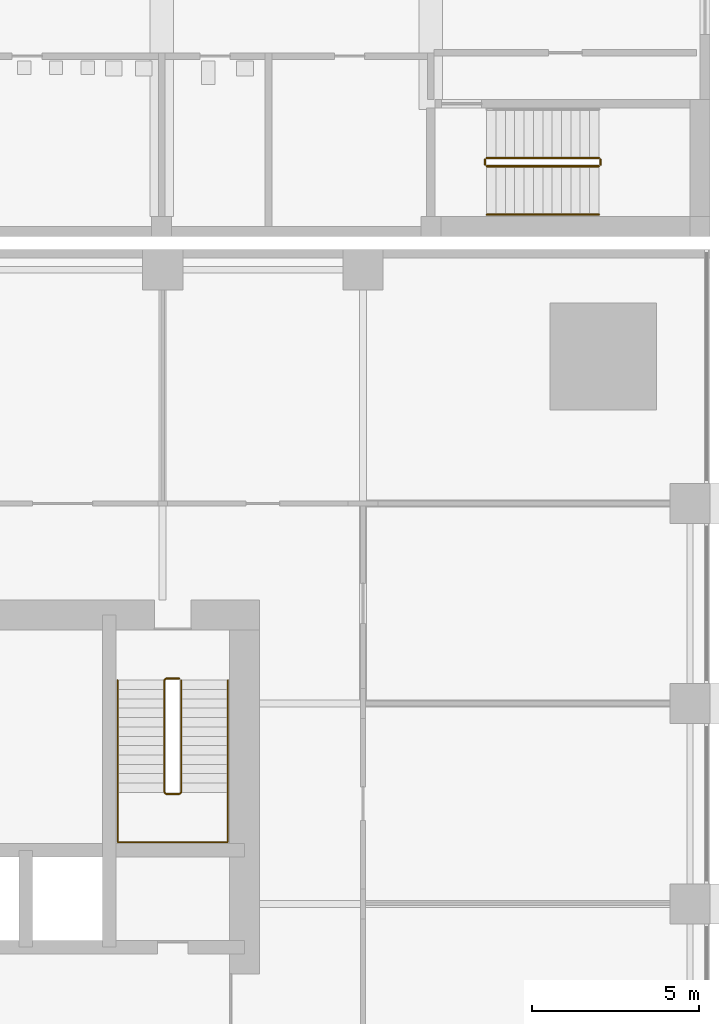
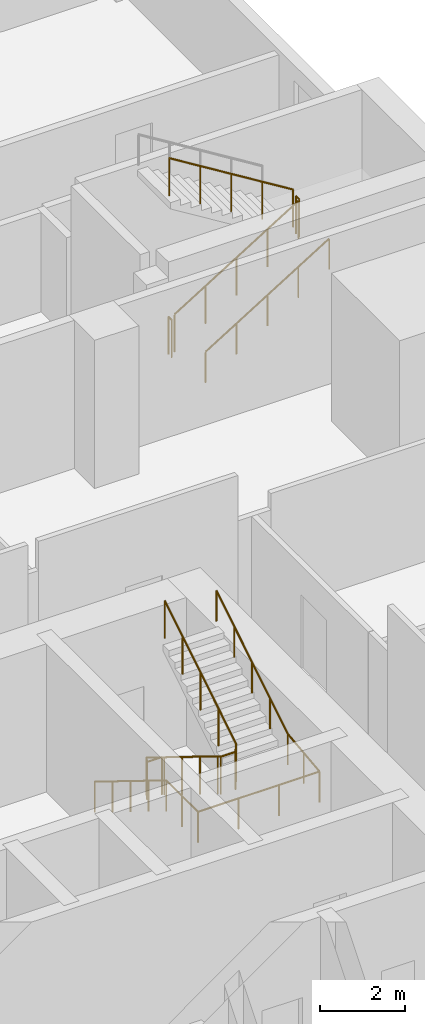
# One storey, part 22 of 24: 7 railings.
"""IFC4 building model written with IfcOpenShell, lengths in metres."""

from ifc_helpers import new_model, si_unit, direction, frame, origin, origin_2d, place, context, subcontext, project, spatial, circle, extrude, material, type_object, element, save


model = new_model("IFC4")

# Units and contexts
model_context = context("Model", 3, precision=1e-05, world=origin(), true_north=direction((0.0, 1.0)))
body_context = subcontext(model_context, "Body", "Model", "MODEL_VIEW")
ifc_project = project(units=[si_unit("LENGTHUNIT", "METRE"), si_unit("AREAUNIT", "SQUARE_METRE"), si_unit("VOLUMEUNIT", "CUBIC_METRE"), si_unit("PLANEANGLEUNIT", "RADIAN"), si_unit("MASSUNIT", "GRAM", prefix="KILO")], contexts=[model_context])

# Site, building, storey
site_placement = place(None, origin())
site = spatial("IfcSite", under=ifc_project, at=site_placement, CompositionType="ELEMENT")
building_placement = place(site_placement, origin())
building = spatial("IfcBuilding", under=site, at=building_placement, Name="Amberfall Residences", CompositionType="ELEMENT")
storey_placement = place(building_placement, frame((0.0, 0.0, 19.0)))
storey = spatial("IfcBuildingStorey", under=building, at=storey_placement, Name="L04", CompositionType="ELEMENT", Elevation=19.0)

# Railings
ifc_material_1 = material(Name="Stainless steel", Category="steel")
railing_type_1 = type_object("IfcRailingType", Name="School stair guard 1100", PredefinedType="GUARDRAIL", material=ifc_material_1)
railing_1_placement = place(storey_placement, frame((93.30810546875, 70.5, 0.173095703125)))
element("IfcRailing", 1, at=railing_1_placement, inside=storey, type_object=railing_type_1, Name="L04 SS5 stair guard 1", PredefinedType="GUARDRAIL", context=body_context, shape_type="SweptSolid", body=[
    extrude(circle(Radius=0.02392578125, at=origin_2d()), frame((0.0, 0.0, 1.076171875), z_axis=(0.850606129759, 0.0, 0.525803396734), x_axis=(0.0, 1.0, 0.0)), (0.0, 0.0, 1.0), 3.949951171875),
    extrude(circle(Radius=0.02099609375, at=origin_2d()), origin(), (0.0, 0.0, 1.0), 1.052001953125),
    extrude(circle(Radius=0.02099609375, at=origin_2d()), frame((0.83984375, 0.0, 0.519287109375)), (0.0, 0.0, 1.0), 1.052001953125),
    extrude(circle(Radius=0.02099609375, at=origin_2d()), frame((1.679931640625, 0.0, 1.03857421875)), (0.0, 0.0, 1.0), 1.052001953125),
    extrude(circle(Radius=0.02099609375, at=origin_2d()), frame((2.52001953125, 0.0, 1.5576171875)), (0.0, 0.0, 1.0), 1.052001953125),
    extrude(circle(Radius=0.02099609375, at=origin_2d()), frame((3.35986328125, 0.0, 2.076904296875)), (0.0, 0.0, 1.0), 1.052001953125),
])
railing_2_placement = place(storey_placement, frame((96.718017578125, 70.550048828125, 2.25)))
element("IfcRailing", 2, at=railing_2_placement, inside=storey, type_object=railing_type_1, Name="L04 SS5 stair guard 2", PredefinedType="GUARDRAIL", context=body_context, shape_type="SweptSolid", body=[
    extrude(circle(Radius=0.02392578125, at=origin_2d()), frame((0.0, 0.0, 1.076171875), z_axis=(0.0, 1.0, 0.0), x_axis=(-1.0, 0.0, 0.0)), (0.0, 0.0, 1.0), 0.14990234375),
    extrude(circle(Radius=0.02099609375, at=origin_2d()), origin(), (0.0, 0.0, 1.0), 1.052001953125),
    extrude(circle(Radius=0.02099609375, at=origin_2d()), frame((0.0, 0.14990234375, 0.0)), (0.0, 0.0, 1.0), 1.052001953125),
])
railing_3_placement = place(storey_placement, frame((96.66796875, 70.75, 2.423095703125)))
element("IfcRailing", 3, at=railing_3_placement, inside=storey, type_object=railing_type_1, Name="L04 SS5 stair guard 3", PredefinedType="GUARDRAIL", context=body_context, shape_type="SweptSolid", body=[
    extrude(circle(Radius=0.02392578125, at=origin_2d()), frame((0.0, 0.0, 1.076171875), z_axis=(-0.850606129759, 0.0, 0.525803396734), x_axis=(0.0, -1.0, 0.0)), (0.0, 0.0, 1.0), 3.949951171875),
    extrude(circle(Radius=0.02099609375, at=origin_2d()), origin(), (0.0, 0.0, 1.0), 1.052001953125),
    extrude(circle(Radius=0.02099609375, at=origin_2d()), frame((-0.83984375, 0.0, 0.519287109375)), (0.0, 0.0, 1.0), 1.052001953125),
    extrude(circle(Radius=0.02099609375, at=origin_2d()), frame((-1.679931640625, 0.0, 1.03857421875)), (0.0, 0.0, 1.0), 1.052001953125),
    extrude(circle(Radius=0.02099609375, at=origin_2d()), frame((-2.52001953125, 0.0, 1.5576171875)), (0.0, 0.0, 1.0), 1.052001953125),
    extrude(circle(Radius=0.02099609375, at=origin_2d()), frame((-3.35986328125, 0.0, 2.076904296875)), (0.0, 0.0, 1.0), 1.052001953125),
])
railing_4_placement = place(storey_placement, frame((93.258056640625, 70.550048828125, 0.0)))
element("IfcRailing", 4, at=railing_4_placement, inside=storey, type_object=railing_type_1, Name="L04 SS5 stair guard 4", PredefinedType="GUARDRAIL", context=body_context, shape_type="SweptSolid", body=[
    extrude(circle(Radius=0.02392578125, at=origin_2d()), frame((0.0, 0.0, 1.076171875), z_axis=(0.0, 1.0, 0.0), x_axis=(-1.0, 0.0, 0.0)), (0.0, 0.0, 1.0), 0.14990234375),
    extrude(circle(Radius=0.02099609375, at=origin_2d()), origin(), (0.0, 0.0, 1.0), 1.052001953125),
    extrude(circle(Radius=0.02099609375, at=origin_2d()), frame((0.0, 0.14990234375, 0.0)), (0.0, 0.0, 1.0), 1.052001953125),
])
railing_type_2 = type_object("IfcRailingType", Name="School stair handrail", PredefinedType="HANDRAIL", material=ifc_material_1)
railing_5_placement = place(storey_placement, frame((93.30810546875, 69.050048828125, 0.173095703125)))
element("IfcRailing", 5, at=railing_5_placement, inside=storey, type_object=railing_type_2, Name="L04 SS5 stair handrail 1", PredefinedType="HANDRAIL", context=body_context, shape_type="SweptSolid", body=[
    extrude(circle(Radius=0.02392578125, at=origin_2d()), frame((0.0, 0.0, 0.8759765625), z_axis=(0.850606129759, 0.0, 0.525803396734), x_axis=(0.0, 1.0, 0.0)), (0.0, 0.0, 1.0), 3.949951171875),
    extrude(circle(Radius=0.02099609375, at=origin_2d()), origin(), (0.0, 0.0, 1.0), 0.851806640625),
    extrude(circle(Radius=0.02099609375, at=origin_2d()), frame((0.83984375, 0.0, 0.519287109375)), (0.0, 0.0, 1.0), 0.851806640625),
    extrude(circle(Radius=0.02099609375, at=origin_2d()), frame((1.679931640625, 0.0, 1.03857421875)), (0.0, 0.0, 1.0), 0.851806640625),
    extrude(circle(Radius=0.02099609375, at=origin_2d()), frame((2.52001953125, 0.0, 1.5576171875)), (0.0, 0.0, 1.0), 0.851806640625),
    extrude(circle(Radius=0.02099609375, at=origin_2d()), frame((3.35986328125, 0.0, 2.076904296875)), (0.0, 0.0, 1.0), 0.851806640625),
])
ifc_material_2 = material(Name="Stainless steel 316", Category="steel")
railing_type_3 = type_object("IfcRailingType", Name="Stair guard 1100", PredefinedType="GUARDRAIL", material=ifc_material_2)
railing_6_placement = place(storey_placement, frame((84.10009765625, 55.14990234375, 0.0)))
element("IfcRailing", 6, at=railing_6_placement, inside=storey, type_object=railing_type_3, Name="L04 stair 3 guard", PredefinedType="GUARDRAIL", context=body_context, shape_type="SweptSolid", body=[
    extrude(circle(Radius=0.02392578125, at=origin_2d()), frame((0.0, 0.0, 1.076171875), z_axis=(-1.0, 0.0, 0.0), x_axis=(0.0, -1.0, 0.0)), (0.0, 0.0, 1.0), 0.400146484375),
    extrude(circle(Radius=0.02392578125, at=origin_2d()), frame((-0.400146484375, 0.0, 1.076171875), z_axis=(-0.267723051232, -0.266417085129, 0.925929967433), x_axis=(0.705375805398, -0.708833529934, 0.0)), (0.0, 0.0, 1.0), 0.18701171875),
    extrude(circle(Radius=0.02392578125, at=origin_2d()), frame((-0.4501953125, -0.0498046875, 1.2490234375), z_axis=(0.0, -0.850623216509, 0.525775754039), x_axis=(1.0, 0.0, 0.0)), (0.0, 0.0, 1.0), 3.9501953125),
    extrude(circle(Radius=0.02392578125, at=origin_2d()), frame((-0.4501953125, -3.409912109375, 3.326171875), z_axis=(0.707106781187, -0.707106781187, 0.0), x_axis=(0.707106781187, 0.707106781187, 0.0)), (0.0, 0.0, 1.0), 0.07080078125),
    extrude(circle(Radius=0.02392578125, at=origin_2d()), frame((-0.400146484375, -3.4599609375, 3.326171875), z_axis=(1.0, 0.0, 0.0), x_axis=(0.0, 1.0, 0.0)), (0.0, 0.0, 1.0), 0.400146484375),
    extrude(circle(Radius=0.02392578125, at=origin_2d()), frame((0.0, -3.4599609375, 3.326171875), z_axis=(0.266417085129, 0.267723051232, 0.925929967433), x_axis=(-0.708833529934, 0.705375805398, 0.0)), (0.0, 0.0, 1.0), 0.18701171875),
    extrude(circle(Radius=0.02392578125, at=origin_2d()), frame((0.0498046875, -3.409912109375, 3.4990234375), z_axis=(0.0, 0.850623216509, 0.525775754039), x_axis=(-1.0, 0.0, 0.0)), (0.0, 0.0, 1.0), 3.9501953125),
    extrude(circle(Radius=0.02099609375, at=origin_2d()), origin(), (0.0, 0.0, 1.0), 1.052001953125),
    extrude(circle(Radius=0.02099609375, at=origin_2d()), frame((-0.400146484375, 0.0, 0.0)), (0.0, 0.0, 1.0), 1.052001953125),
    extrude(circle(Radius=0.02099609375, at=origin_2d()), frame((-0.4501953125, -0.0498046875, 0.173095703125)), (0.0, 0.0, 1.0), 1.052001953125),
    extrude(circle(Radius=0.02099609375, at=origin_2d()), frame((-0.4501953125, -0.889892578125, 0.6923828125)), (0.0, 0.0, 1.0), 1.052001953125),
    extrude(circle(Radius=0.02099609375, at=origin_2d()), frame((-0.4501953125, -1.72998046875, 1.21142578125)), (0.0, 0.0, 1.0), 1.052001953125),
    extrude(circle(Radius=0.02099609375, at=origin_2d()), frame((-0.4501953125, -2.56982421875, 1.730712890625)), (0.0, 0.0, 1.0), 1.052001953125),
    extrude(circle(Radius=0.02099609375, at=origin_2d()), frame((-0.4501953125, -3.409912109375, 2.25)), (0.0, 0.0, 1.0), 1.052001953125),
    extrude(circle(Radius=0.02099609375, at=origin_2d()), frame((-0.400146484375, -3.4599609375, 2.25)), (0.0, 0.0, 1.0), 1.052001953125),
    extrude(circle(Radius=0.02099609375, at=origin_2d()), frame((0.0, -3.4599609375, 2.25)), (0.0, 0.0, 1.0), 1.052001953125),
    extrude(circle(Radius=0.02099609375, at=origin_2d()), frame((0.0498046875, -3.409912109375, 2.423095703125)), (0.0, 0.0, 1.0), 1.052001953125),
    extrude(circle(Radius=0.02099609375, at=origin_2d()), frame((0.0498046875, -2.56982421875, 2.9423828125)), (0.0, 0.0, 1.0), 1.052001953125),
    extrude(circle(Radius=0.02099609375, at=origin_2d()), frame((0.0498046875, -1.72998046875, 3.46142578125)), (0.0, 0.0, 1.0), 1.052001953125),
    extrude(circle(Radius=0.02099609375, at=origin_2d()), frame((0.0498046875, -0.889892578125, 3.980712890625)), (0.0, 0.0, 1.0), 1.052001953125),
    extrude(circle(Radius=0.02099609375, at=origin_2d()), frame((0.0498046875, -0.0498046875, 4.5)), (0.0, 0.0, 1.0), 1.052001953125),
])
railing_type_4 = type_object("IfcRailingType", Name="Stair handrail 900", PredefinedType="HANDRAIL", material=ifc_material_2)
railing_7_placement = place(storey_placement, frame((82.25, 55.10009765625, 0.173095703125)))
element("IfcRailing", 7, at=railing_7_placement, inside=storey, type_object=railing_type_4, Name="L04 stair 3 handrail", PredefinedType="HANDRAIL", context=body_context, shape_type="SweptSolid", body=[
    extrude(circle(Radius=0.02392578125, at=origin_2d()), frame((0.0, 0.0, 0.8759765625), z_axis=(0.0, -0.850623216509, 0.525775754039), x_axis=(1.0, 0.0, 0.0)), (0.0, 0.0, 1.0), 3.9501953125),
    extrude(circle(Radius=0.02392578125, at=origin_2d()), frame((0.0, -3.360107421875, 2.95263671875), z_axis=(0.0, -1.0, 0.0), x_axis=(1.0, 0.0, 0.0)), (0.0, 0.0, 1.0), 1.489990234375),
    extrude(circle(Radius=0.02392578125, at=origin_2d()), frame((0.0, -4.85009765625, 2.95263671875), z_axis=(1.0, 0.0, 0.0), x_axis=(0.0, 1.0, 0.0)), (0.0, 0.0, 1.0), 3.300048828125),
    extrude(circle(Radius=0.02392578125, at=origin_2d()), frame((3.300048828125, -4.85009765625, 2.95263671875), z_axis=(0.0, 0.993319533971, 0.115396288642), x_axis=(-1.0, 0.0, 0.0)), (0.0, 0.0, 1.0), 1.5),
    extrude(circle(Radius=0.02392578125, at=origin_2d()), frame((3.300048828125, -3.360107421875, 3.1259765625), z_axis=(0.0, 0.850623216509, 0.525775754039), x_axis=(-1.0, 0.0, 0.0)), (0.0, 0.0, 1.0), 3.9501953125),
    extrude(circle(Radius=0.02099609375, at=origin_2d()), origin(), (0.0, 0.0, 1.0), 0.851806640625),
    extrude(circle(Radius=0.02099609375, at=origin_2d()), frame((0.0, -0.840087890625, 0.519287109375)), (0.0, 0.0, 1.0), 0.851806640625),
    extrude(circle(Radius=0.02099609375, at=origin_2d()), frame((0.0, -1.68017578125, 1.03857421875)), (0.0, 0.0, 1.0), 0.851806640625),
    extrude(circle(Radius=0.02099609375, at=origin_2d()), frame((0.0, -2.52001953125, 1.5576171875)), (0.0, 0.0, 1.0), 0.851806640625),
    extrude(circle(Radius=0.02099609375, at=origin_2d()), frame((0.0, -3.360107421875, 2.076904296875)), (0.0, 0.0, 1.0), 0.851806640625),
    extrude(circle(Radius=0.02099609375, at=origin_2d()), frame((0.0, -4.10498046875, 2.076904296875)), (0.0, 0.0, 1.0), 0.851806640625),
    extrude(circle(Radius=0.02099609375, at=origin_2d()), frame((0.0, -4.85009765625, 2.076904296875)), (0.0, 0.0, 1.0), 0.851806640625),
    extrude(circle(Radius=0.02099609375, at=origin_2d()), frame((1.10009765625, -4.85009765625, 2.076904296875)), (0.0, 0.0, 1.0), 0.851806640625),
    extrude(circle(Radius=0.02099609375, at=origin_2d()), frame((2.199951171875, -4.85009765625, 2.076904296875)), (0.0, 0.0, 1.0), 0.851806640625),
    extrude(circle(Radius=0.02099609375, at=origin_2d()), frame((3.300048828125, -4.85009765625, 2.076904296875)), (0.0, 0.0, 1.0), 0.851806640625),
    extrude(circle(Radius=0.02099609375, at=origin_2d()), frame((3.300048828125, -4.10498046875, 2.16357421875)), (0.0, 0.0, 1.0), 0.851806640625),
    extrude(circle(Radius=0.02099609375, at=origin_2d()), frame((3.300048828125, -3.360107421875, 2.25)), (0.0, 0.0, 1.0), 0.851806640625),
    extrude(circle(Radius=0.02099609375, at=origin_2d()), frame((3.300048828125, -2.52001953125, 2.769287109375)), (0.0, 0.0, 1.0), 0.851806640625),
    extrude(circle(Radius=0.02099609375, at=origin_2d()), frame((3.300048828125, -1.68017578125, 3.28857421875)), (0.0, 0.0, 1.0), 0.851806640625),
    extrude(circle(Radius=0.02099609375, at=origin_2d()), frame((3.300048828125, -0.840087890625, 3.8076171875)), (0.0, 0.0, 1.0), 0.851806640625),
    extrude(circle(Radius=0.02099609375, at=origin_2d()), frame((3.300048828125, 0.0, 4.326904296875)), (0.0, 0.0, 1.0), 0.851806640625),
])

save(model, "model.ifc")
